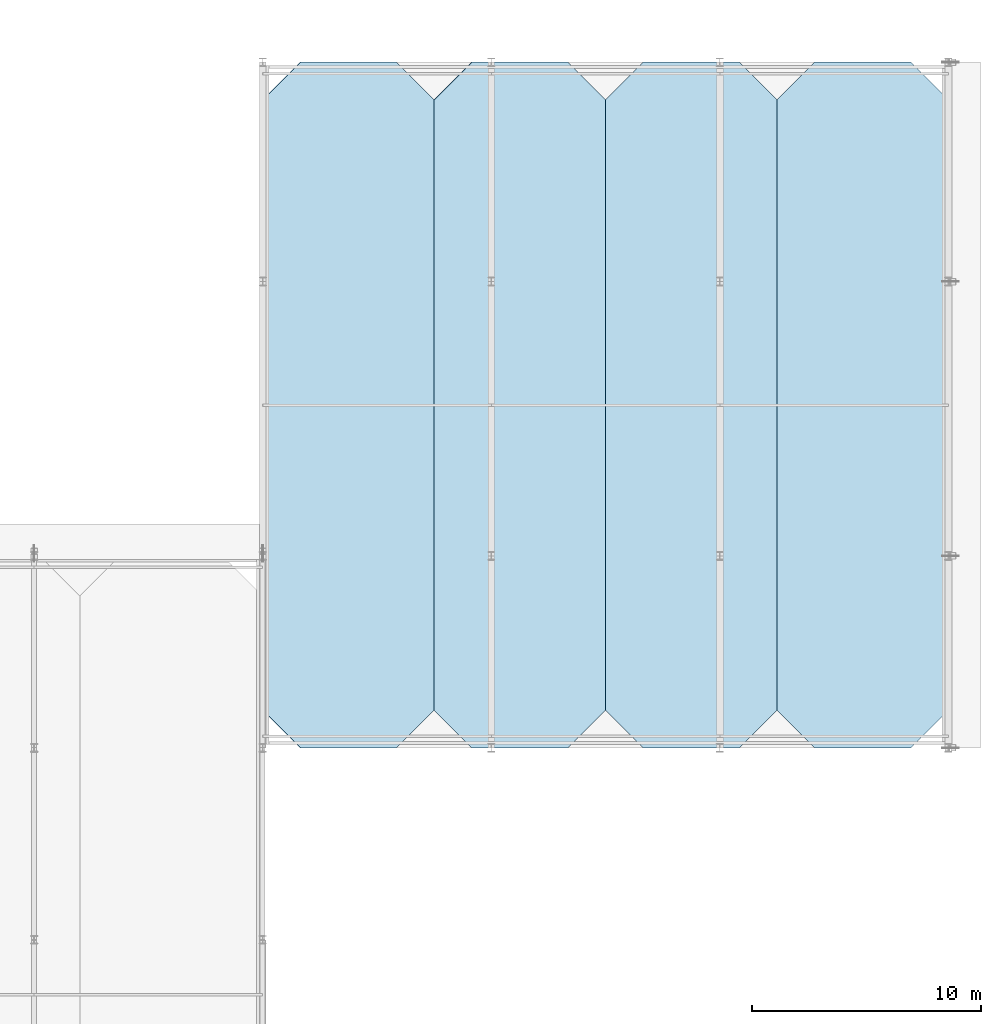
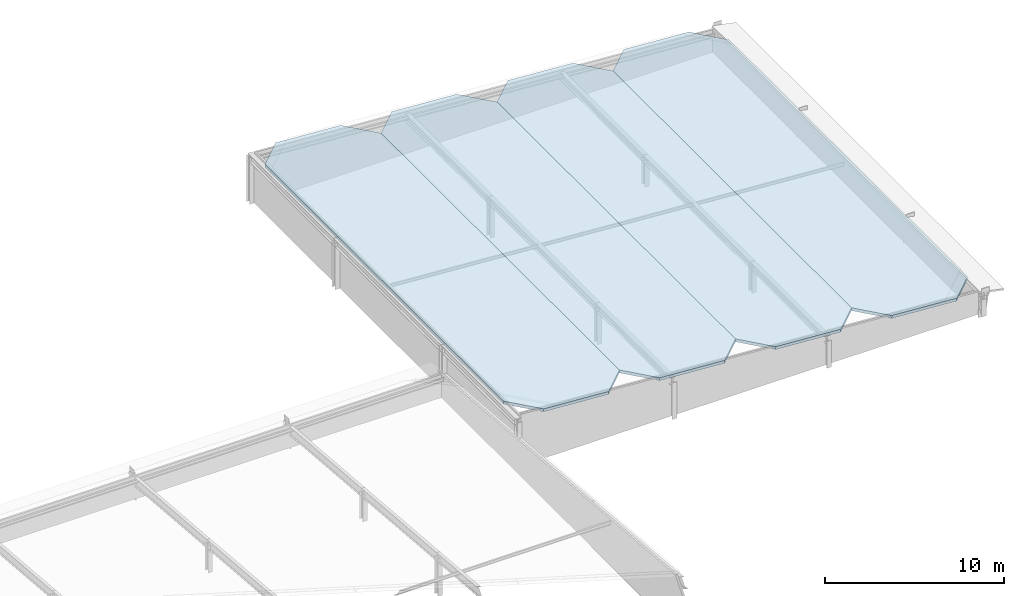
# One storey, part 42 of 79: 4 slabs, 1 element without a shape of its own.
"""IFC4 building model written with IfcOpenShell, lengths in metres."""

from ifc_helpers import new_model, si_unit, direction, frame, origin, place, context, subcontext, project, spatial, polyline, outline, extrude, material, layer, layer_set, type_object, element, aggregate, save


model = new_model("IFC4")

# Units and contexts
model_context = context("Model", 3, precision=1e-05, world=origin(), true_north=direction((0.0, 1.0)))
body_context = subcontext(model_context, "Body", "Model", "MODEL_VIEW")
ifc_project = project(units=[si_unit("LENGTHUNIT", "METRE"), si_unit("AREAUNIT", "SQUARE_METRE"), si_unit("VOLUMEUNIT", "CUBIC_METRE"), si_unit("PLANEANGLEUNIT", "RADIAN"), si_unit("MASSUNIT", "GRAM", prefix="KILO")], contexts=[model_context])

# Site, building, storey
site_placement = place(None, origin())
site = spatial("IfcSite", under=ifc_project, at=site_placement, CompositionType="ELEMENT")
building_placement = place(site_placement, origin())
building = spatial("IfcBuilding", under=site, at=building_placement, Name="Zereglee Splitstone Museum", CompositionType="ELEMENT")
storey_placement = place(building_placement, frame((0.0, 0.0, 9.0)))
storey = spatial("IfcBuildingStorey", under=building, at=storey_placement, Name="L02", CompositionType="ELEMENT", Elevation=9.0)

# Roof, slabs
ifc_material_1 = material(Name="Standing-seam zinc roofing on Concrete C35/45", Category="concrete")
ifc_layer_1 = layer(ifc_material_1, 0.219970703125)
ifc_layer_set_1 = layer_set([ifc_layer_1], Name="Concrete C35/45")
roof_type = type_object("IfcRoofType", Name="RF-A1", PredefinedType="SHED_ROOF", material=ifc_layer_set_1)
roof_placement = place(storey_placement, origin())
roof = element("IfcRoof", 1, at=roof_placement, inside=storey, type_object=roof_type, Name="Sloping Split-Rock Roof Assembly RF-V6", PredefinedType="SHED_ROOF")
ifc_material_2 = material(Name="Concrete C35/45", Category="concrete")
ifc_layer_2 = layer(ifc_material_2, 0.18994140625)
ifc_layer_set_2 = layer_set([ifc_layer_2], Name="Concrete C35/45")
slab_type = type_object("IfcSlabType", Name="RS-03", PredefinedType="ROOF", material=ifc_layer_set_2)
slab_1_placement = place(storey_placement, frame((297.64990234375, 30.0, 3.489990234375), z_axis=(0.066519132023, 0.0, 0.997785149757), x_axis=(0.997785149757, 0.0, -0.066519132023)))
slab_1 = element("IfcSlab", 2, at=slab_1_placement, type_object=slab_type, Name="Split-Rock Roof Slab RF-V6 Panel 1", PredefinedType="ROOF", context=body_context, shape_type="SweptSolid", body=[
    extrude(outline(polyline([(0.0, 0.0), (4.209519814659141, 0.0), (5.863075881911537, 1.6499023437500004), (5.863075881911537, 28.350097656250007), (4.209519814659141, 30.000000000000007), (0.0, 30.000000000000007), (-1.6535723072748623, 28.350097656250007), (-1.6535723072748623, 1.6499023437500004), (0.0, 0.0)])), origin(), (0.0, 0.0, -1.0), 0.18994140625),
])
slab_2_placement = place(storey_placement, frame((305.14990234375, 30.0, 2.989990234375), z_axis=(0.066519132023, 0.0, 0.997785149757), x_axis=(0.997785149757, 0.0, -0.066519132023)))
slab_2 = element("IfcSlab", 3, at=slab_2_placement, type_object=slab_type, Name="Split-Rock Roof Slab RF-V6 Panel 2", PredefinedType="ROOF", context=body_context, shape_type="SweptSolid", body=[
    extrude(outline(polyline([(0.0, 0.0), (4.209519814659141, 0.0), (5.863075881911537, 1.6499023437500004), (5.863075881911537, 28.350097656250007), (4.209519814659141, 30.000000000000007), (0.0, 30.000000000000007), (-1.6535723072748623, 28.350097656250007), (-1.6535723072748623, 1.6499023437500004), (0.0, 0.0)])), origin(), (0.0, 0.0, -1.0), 0.18994140625),
])
slab_3_placement = place(storey_placement, frame((312.64990234375, 30.0, 2.489990234375), z_axis=(0.066519132023, 0.0, 0.997785149757), x_axis=(0.997785149757, 0.0, -0.066519132023)))
slab_3 = element("IfcSlab", 4, at=slab_3_placement, type_object=slab_type, Name="Split-Rock Roof Slab RF-V6 Panel 3", PredefinedType="ROOF", context=body_context, shape_type="SweptSolid", body=[
    extrude(outline(polyline([(0.0, 0.0), (4.209519814659141, 0.0), (5.863075881911537, 1.6499023437500004), (5.863075881911537, 28.350097656250007), (4.209519814659141, 30.000000000000007), (0.0, 30.000000000000007), (-1.6535723072748623, 28.350097656250007), (-1.6535723072748623, 1.6499023437500004), (0.0, 0.0)])), origin(), (0.0, 0.0, -1.0), 0.18994140625),
])
slab_4_placement = place(storey_placement, frame((320.14990234375, 30.0, 1.989990234375), z_axis=(0.066519132023, 0.0, 0.997785149757), x_axis=(0.997785149757, 0.0, -0.066519132023)))
slab_4 = element("IfcSlab", 5, at=slab_4_placement, type_object=slab_type, Name="Split-Rock Roof Slab RF-V6 Panel 4", PredefinedType="ROOF", context=body_context, shape_type="SweptSolid", body=[
    extrude(outline(polyline([(0.0, 0.0), (4.209519814659141, 0.0), (5.863075881911537, 1.6499023437500004), (5.863075881911537, 28.350097656250007), (4.209519814659141, 30.000000000000007), (0.0, 30.000000000000007), (-1.6535723072748623, 28.350097656250007), (-1.6535723072748623, 1.6499023437500004), (0.0, 0.0)])), origin(), (0.0, 0.0, -1.0), 0.18994140625),
])
aggregate(roof, [slab_1, slab_2, slab_3, slab_4])

save(model, "model.ifc")
